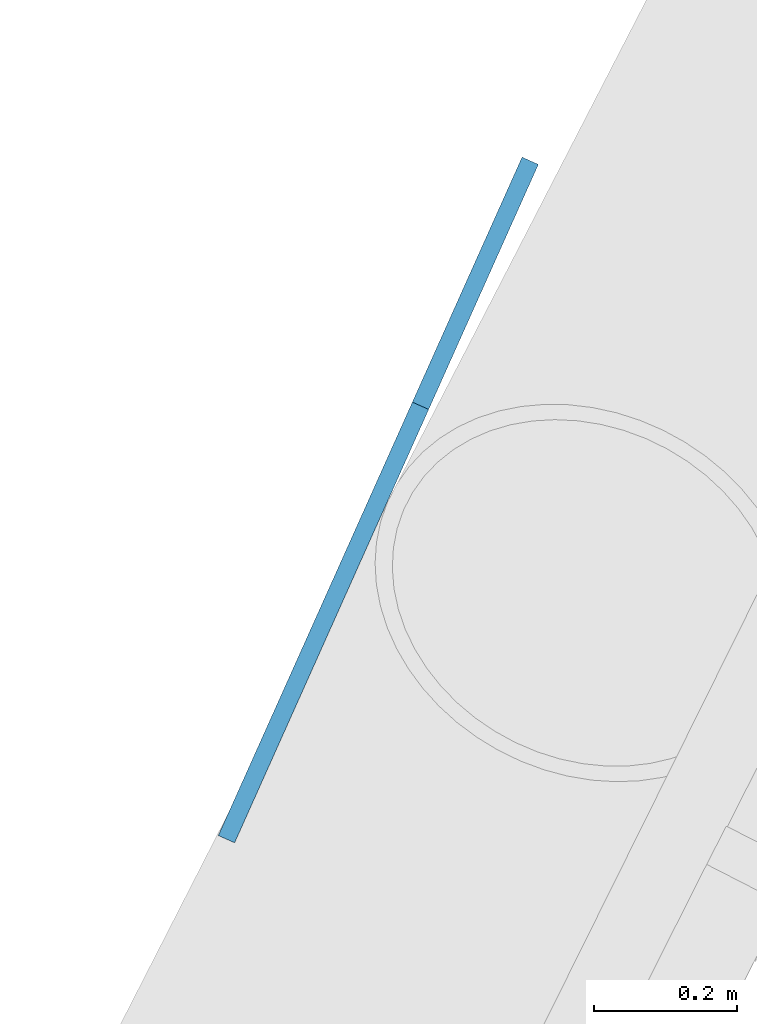
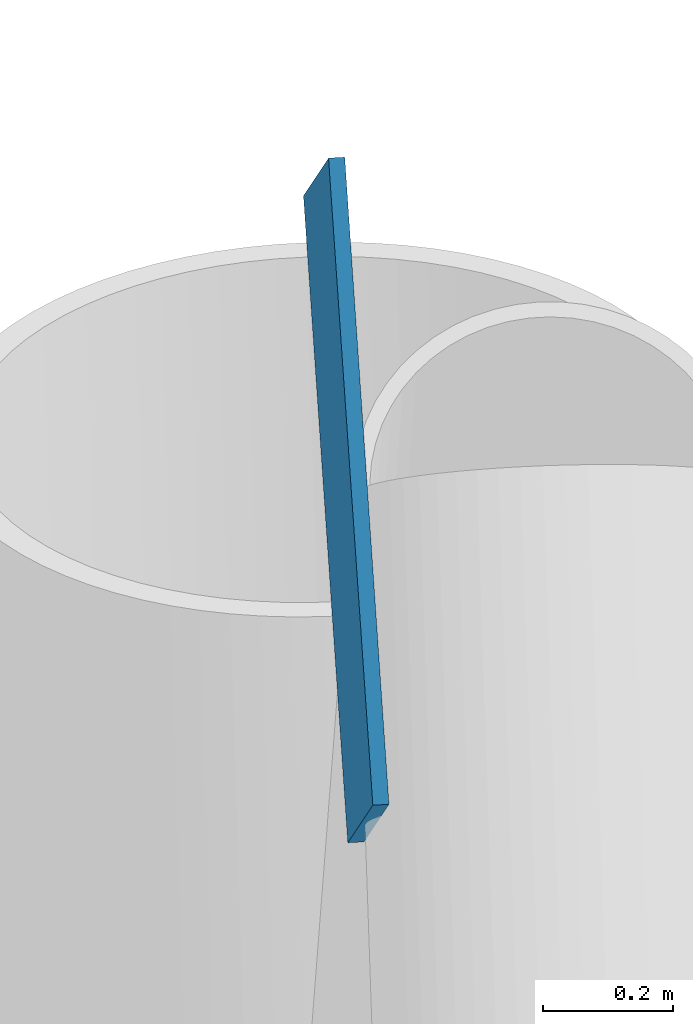
# One storey, part 11 of 24: 1 discrete accessory.
"""IFC4 building model written with IfcOpenShell, lengths in metres."""

from ifc_helpers import new_model, si_unit, direction, frame, origin, origin_2d, place, context, subcontext, project, spatial, rectangle, extrude, material, material_profile, profile_set, type_object, element, save


model = new_model("IFC4")

# Units and contexts
model_context = context("Model", 3, precision=1e-05, world=origin(), true_north=direction((0.0, 1.0)))
body_context = subcontext(model_context, "Body", "Model", "MODEL_VIEW")
ifc_project = project(units=[si_unit("LENGTHUNIT", "METRE"), si_unit("AREAUNIT", "SQUARE_METRE"), si_unit("VOLUMEUNIT", "CUBIC_METRE"), si_unit("PLANEANGLEUNIT", "RADIAN"), si_unit("MASSUNIT", "GRAM", prefix="KILO")], contexts=[model_context])

# Site, building, storey
site_placement = place(None, origin())
site = spatial("IfcSite", under=ifc_project, at=site_placement, CompositionType="ELEMENT")
building_placement = place(site_placement, origin())
building = spatial("IfcBuilding", under=site, at=building_placement, Name="Tarsis Ring Headquarters", CompositionType="ELEMENT")
storey_placement = place(building_placement, frame((0.0, 0.0, 92.800048828125)))
storey = spatial("IfcBuildingStorey", under=building, at=storey_placement, Name="L20", CompositionType="ELEMENT", Elevation=92.800048828125)

# Discrete accessory
ifc_material = material(Name="Structural steel S355", Category="steel")
ifc_material_profile = material_profile(ifc_material, rectangle(XDim=0.02490234375, YDim=0.5, at=origin_2d()), Name="PL 25x500")
ifc_profile_set = profile_set([ifc_material_profile], Name="Structural steel S355")
discrete_accessory_type = type_object("IfcDiscreteAccessoryType", Name="Gusset plate Exo brace 25", PredefinedType="BRACKET", material=ifc_profile_set)
discrete_accessory_placement = place(storey_placement, frame((25.184326171875, -12.439208984375, 7.42529296875), z_axis=(0.270695850415, 0.604611020269, 0.749112321843), x_axis=(-0.912698933449, 0.408632667418, 0.0)))
element("IfcDiscreteAccessory", 1, at=discrete_accessory_placement, inside=storey, type_object=discrete_accessory_type, Name="Gusset plate GP5", PredefinedType="BRACKET", context=body_context, shape_type="SweptSolid", body=[
    extrude(rectangle(XDim=0.02490234375, YDim=0.5, at=origin_2d()), origin(), (0.0, 0.0, 1.0), 1.000244140625),
])

save(model, "model.ifc")
